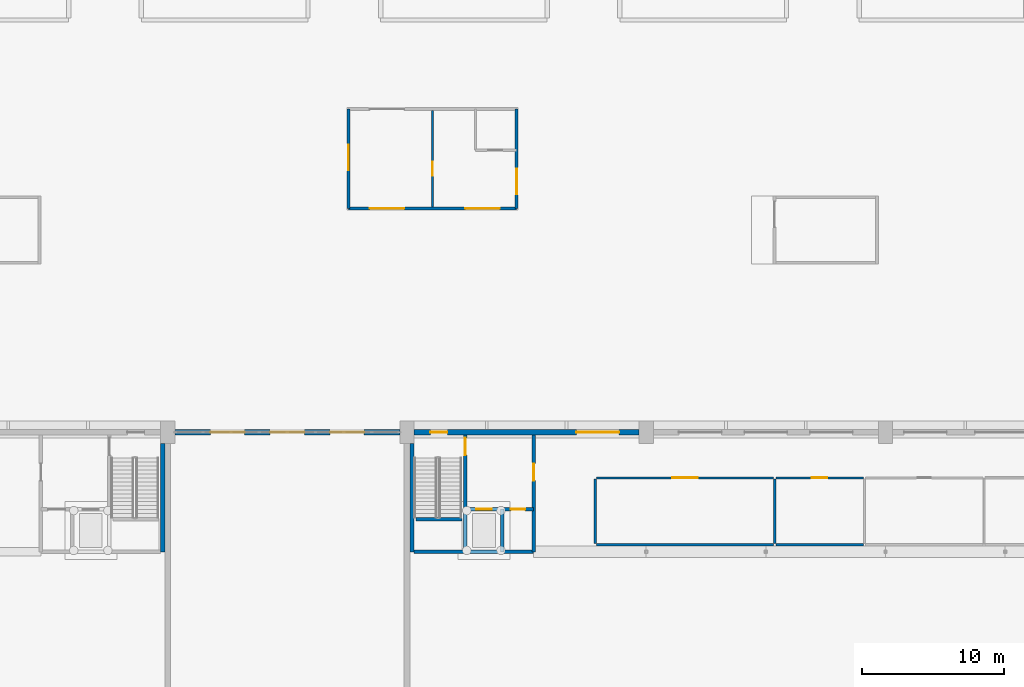
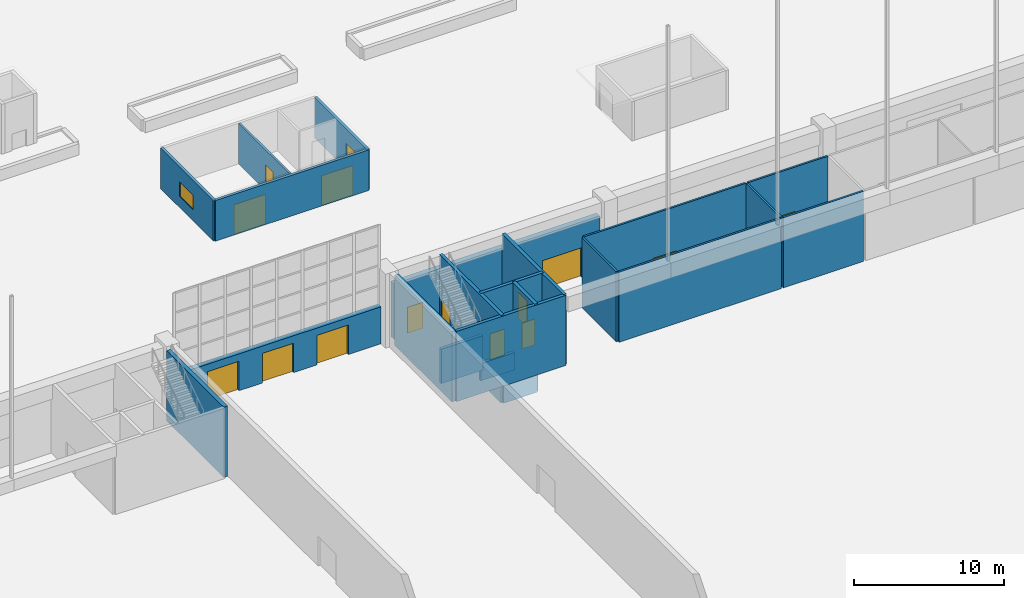
# One storey, part 119 of 210: 24 walls, 14 doors, 2 windows, 16 openings.
"""IFC4 building model written with IfcOpenShell, lengths in metres."""

from ifc_helpers import new_model, si_unit, direction, frame, frame_2d, origin, place, context, subcontext, project, spatial, rectangle, extrude, material, layer, layer_set, type_object, element, fill, save


model = new_model("IFC4")

# Units and contexts
model_context = context("Model", 3, precision=1e-05, world=origin(), true_north=direction((0.0, 1.0)))
body_context = subcontext(model_context, "Body", "Model", "MODEL_VIEW")
ifc_project = project(units=[si_unit("LENGTHUNIT", "METRE"), si_unit("AREAUNIT", "SQUARE_METRE"), si_unit("VOLUMEUNIT", "CUBIC_METRE"), si_unit("PLANEANGLEUNIT", "RADIAN"), si_unit("MASSUNIT", "GRAM", prefix="KILO")], contexts=[model_context])

# Site, building, storey
site_placement = place(None, origin())
site = spatial("IfcSite", under=ifc_project, at=site_placement, CompositionType="ELEMENT")
building_placement = place(site_placement, origin())
building = spatial("IfcBuilding", under=site, at=building_placement, Name="Rain Tree Exposition and Congress Centre", CompositionType="ELEMENT")
storey_placement = place(building_placement, origin())
storey = spatial("IfcBuildingStorey", under=building, at=storey_placement, Name="L00", CompositionType="ELEMENT", Elevation=0.0)

# Wall, openings, doors
ifc_material_1 = material(Name="Concrete C40/50", Category="concrete")
ifc_layer_1 = layer(ifc_material_1, 0.199951171875)
ifc_layer_set_1 = layer_set([ifc_layer_1], Name="Concrete C40/50")
wall_type_1 = type_object("IfcWallType", Name="Control office wall 200", PredefinedType="SOLIDWALL", material=ifc_layer_set_1)
wall_1_placement = place(storey_placement, frame((138.699951171875, 217.300048828125, 0.0), z_axis=(0.0, 0.0, 1.0), x_axis=(1.0, 0.0, 0.0)))
wall_1 = element("IfcWall", 1, at=wall_1_placement, inside=storey, type_object=wall_type_1, Name="Control office south wall", PredefinedType="SOLIDWALL", context=body_context, shape_type="SweptSolid", body=[
    extrude(rectangle(XDim=11.800048828125, YDim=0.199951171875, at=frame_2d((5.89990234375, 0.0))), origin(), (0.0, 0.0, 1.0), 3.300048828125),
])
opening_1_placement = place(wall_1_placement, frame((1.5, 0.0, 0.0)))
opening_1 = element("IfcOpeningElement", 2, at=opening_1_placement, cuts=wall_1, Name="Opening DS811", PredefinedType="OPENING", context=body_context, shape_type="SweptSolid", body=[
    extrude(rectangle(XDim=2.39990234375, YDim=2.39990234375, at=frame_2d((1.199951171875, 1.199951171875))), frame((0.0, 0.10009765625, 0.0), z_axis=(0.0, -1.0, 0.0), x_axis=(1.0, 0.0, 0.0)), (0.0, 0.0, 1.0), 0.199951171875),
])
opening_2_placement = place(wall_1_placement, frame((8.199951171875, 0.0, 0.0)))
opening_2 = element("IfcOpeningElement", 3, at=opening_2_placement, cuts=wall_1, Name="Opening DS812", PredefinedType="OPENING", context=body_context, shape_type="SweptSolid", body=[
    extrude(rectangle(XDim=2.39990234375, YDim=2.39990234375, at=frame_2d((1.199951171875, 1.199951171875))), frame((0.0, 0.10009765625, 0.0), z_axis=(0.0, -1.0, 0.0), x_axis=(1.0, 0.0, 0.0)), (0.0, 0.0, 1.0), 0.199951171875),
])
ifc_material_2 = material(Name="Aluminium and glass", Category="aluminium")
door_type_1 = type_object("IfcDoorType", Name="Control office entrance door 2400x2400", OperationType="DOUBLE_DOOR_SINGLE_SWING", PredefinedType="DOOR", material=ifc_material_2)
door_1_placement = place(opening_1_placement, origin())
door_1 = element("IfcDoor", 4, at=door_1_placement, inside=storey, type_object=door_type_1, Name="DS811", OperationType="DOUBLE_DOOR_SINGLE_SWING", OverallHeight=2.39990234375, OverallWidth=2.39990234375, PredefinedType="DOOR", context=body_context, shape_type="SweptSolid", body=[
    extrude(rectangle(XDim=2.39990234375, YDim=2.39990234375, at=frame_2d((1.199951171875, 1.199951171875))), frame((0.0, 0.02490234375, 0.0), z_axis=(0.0, -1.0, 0.0), x_axis=(1.0, 0.0, 0.0)), (0.0, 0.0, 1.0), 0.050048828125),
])
fill(opening_1, door_1)
door_2_placement = place(opening_2_placement, origin())
door_2 = element("IfcDoor", 5, at=door_2_placement, inside=storey, type_object=door_type_1, Name="DS812", OperationType="DOUBLE_DOOR_SINGLE_SWING", OverallHeight=2.39990234375, OverallWidth=2.39990234375, PredefinedType="DOOR", context=body_context, shape_type="SweptSolid", body=[
    extrude(rectangle(XDim=2.39990234375, YDim=2.39990234375, at=frame_2d((1.199951171875, 1.199951171875))), frame((0.0, 0.02490234375, 0.0), z_axis=(0.0, -1.0, 0.0), x_axis=(1.0, 0.0, 0.0)), (0.0, 0.0, 1.0), 0.050048828125),
])
fill(opening_2, door_2)

# Wall, opening, window
wall_2_placement = place(storey_placement, frame((150.5, 217.300048828125, 0.0), z_axis=(0.0, 0.0, 1.0), x_axis=(0.0, 1.0, 0.0)))
wall_2 = element("IfcWall", 6, at=wall_2_placement, inside=storey, type_object=wall_type_1, Name="Control office east wall", PredefinedType="SOLIDWALL", context=body_context, shape_type="SweptSolid", body=[
    extrude(rectangle(XDim=7.0, YDim=0.199951171875, at=frame_2d((3.5, 0.0))), origin(), (0.0, 0.0, 1.0), 3.300048828125),
])
opening_3_placement = place(wall_2_placement, frame((1.0, 0.0, 0.89990234375)))
opening_3 = element("IfcOpeningElement", 7, at=opening_3_placement, cuts=wall_2, Name="Opening WS82", PredefinedType="OPENING", context=body_context, shape_type="SweptSolid", body=[
    extrude(rectangle(XDim=1.800048828125, YDim=1.199951171875, at=frame_2d((0.89990234375, 0.60009765625))), frame((0.0, 0.10009765625, 0.0), z_axis=(0.0, -1.0, 0.0), x_axis=(1.0, 0.0, 0.0)), (0.0, 0.0, 1.0), 0.199951171875),
])
ifc_material_3 = material(Name="Aluminium frame with double glazing", Category="aluminium")
window_type = type_object("IfcWindowType", Name="Control office window 1800x1200", PartitioningType="SINGLE_PANEL", PredefinedType="WINDOW", material=ifc_material_3)
window_1_placement = place(opening_3_placement, origin())
window_1 = element("IfcWindow", 8, at=window_1_placement, inside=storey, type_object=window_type, Name="WS82", OverallHeight=1.199951171875, OverallWidth=1.800048828125, PartitioningType="SINGLE_PANEL", PredefinedType="WINDOW", context=body_context, shape_type="SweptSolid", body=[
    extrude(rectangle(XDim=1.800048828125, YDim=1.199951171875, at=frame_2d((0.89990234375, 0.60009765625))), frame((0.0, 0.030029296875, 0.0), z_axis=(0.0, -1.0, 0.0), x_axis=(1.0, 0.0, 0.0)), (0.0, 0.0, 1.0), 0.06005859375),
])
fill(opening_3, window_1)

wall_3_placement = place(storey_placement, frame((138.699951171875, 217.300048828125, 0.0), z_axis=(0.0, 0.0, 1.0), x_axis=(0.0, 1.0, 0.0)))
wall_3 = element("IfcWall", 9, at=wall_3_placement, inside=storey, type_object=wall_type_1, Name="Control office west wall", PredefinedType="SOLIDWALL", context=body_context, shape_type="SweptSolid", body=[
    extrude(rectangle(XDim=7.0, YDim=0.199951171875, at=frame_2d((3.5, 0.0))), origin(), (0.0, 0.0, 1.0), 3.300048828125),
])
opening_4_placement = place(wall_3_placement, frame((2.699951171875, 0.0, 0.89990234375)))
opening_4 = element("IfcOpeningElement", 10, at=opening_4_placement, cuts=wall_3, Name="Opening WS83", PredefinedType="OPENING", context=body_context, shape_type="SweptSolid", body=[
    extrude(rectangle(XDim=1.800048828125, YDim=1.199951171875, at=frame_2d((0.89990234375, 0.60009765625))), frame((0.0, 0.10009765625, 0.0), z_axis=(0.0, -1.0, 0.0), x_axis=(1.0, 0.0, 0.0)), (0.0, 0.0, 1.0), 0.199951171875),
])
window_2_placement = place(opening_4_placement, origin())
window_2 = element("IfcWindow", 11, at=window_2_placement, inside=storey, type_object=window_type, Name="WS83", OverallHeight=1.199951171875, OverallWidth=1.800048828125, PartitioningType="SINGLE_PANEL", PredefinedType="WINDOW", context=body_context, shape_type="SweptSolid", body=[
    extrude(rectangle(XDim=1.800048828125, YDim=1.199951171875, at=frame_2d((0.89990234375, 0.60009765625))), frame((0.0, 0.030029296875, 0.0), z_axis=(0.0, -1.0, 0.0), x_axis=(1.0, 0.0, 0.0)), (0.0, 0.0, 1.0), 0.06005859375),
])
fill(opening_4, window_2)

# Walls
ifc_material_4 = material(Name="Concrete C40/50", Category="concrete")
ifc_layer_2 = layer(ifc_material_4, 0.300048828125)
ifc_layer_set_2 = layer_set([ifc_layer_2], Name="Concrete C40/50")
wall_type_2 = type_object("IfcWallType", Name="Core gable pier wall 300", PredefinedType="SHEAR", material=ifc_layer_set_2)
for number, where, z_axis, x_axis, name in (
    (12, (125.64990234375, 200.800048828125, 0.0), (0.0, 0.0, 1.0), (0.0, -1.0, 0.0), "Gable pier wall 4"),
    (13, (143.14990234375, 200.800048828125, 0.0), (0.0, 0.0, 1.0), (0.0, -1.0, 0.0), "Gable pier wall 7"),
):
    element("IfcWall", number, at=place(storey_placement, frame(where, z_axis=z_axis, x_axis=x_axis)), inside=storey, type_object=wall_type_2, Name=name, PredefinedType="SHEAR", context=body_context, shape_type="SweptSolid", body=[
        extrude(rectangle(XDim=7.60009765625, YDim=0.300048828125, at=frame_2d((3.800048828125, 0.0))), origin(), (0.0, 0.0, 1.0), 5.699951171875),
    ])

# Wall, opening, door
ifc_material_5 = material(Name="Concrete C40/50", Category="concrete")
ifc_layer_3 = layer(ifc_material_5, 0.25)
ifc_layer_set_3 = layer_set([ifc_layer_3], Name="Concrete C40/50")
wall_type_3 = type_object("IfcWallType", Name="Core wall 250", PredefinedType="SHEAR", material=ifc_layer_set_3)
wall_4_placement = place(storey_placement, frame((146.89990234375, 201.39990234375, 0.0), z_axis=(0.0, 0.0, 1.0), x_axis=(0.0, -1.0, 0.0)))
wall_4 = element("IfcWall", 14, at=wall_4_placement, inside=storey, type_object=wall_type_3, Name="Stair wall 7", PredefinedType="SHEAR", context=body_context, shape_type="SweptSolid", body=[
    extrude(rectangle(XDim=8.199951171875, YDim=0.25, at=frame_2d((4.10009765625, 0.0))), origin(), (0.0, 0.0, 1.0), 5.699951171875),
])
opening_5_placement = place(wall_4_placement, frame((0.199951171875, 0.0, 0.0)))
opening_5 = element("IfcOpeningElement", 15, at=opening_5_placement, cuts=wall_4, Name="Opening DH229", PredefinedType="OPENING", context=body_context, shape_type="SweptSolid", body=[
    extrude(rectangle(XDim=1.199951171875, YDim=2.10009765625, at=frame_2d((0.60009765625, 1.050048828125))), frame((0.0, 0.125, 0.0), z_axis=(0.0, -1.0, 0.0), x_axis=(1.0, 0.0, 0.0)), (0.0, 0.0, 1.0), 0.25),
])
ifc_material_6 = material(Name="Painted steel fire door", Category="steel")
door_type_2 = type_object("IfcDoorType", Name="Stair fire door 1200x2100", OperationType="NOTDEFINED", PredefinedType="DOOR", material=ifc_material_6)
door_3_placement = place(opening_5_placement, origin())
door_3 = element("IfcDoor", 16, at=door_3_placement, inside=storey, type_object=door_type_2, Name="Door DH229", OperationType="SINGLE_SWING_LEFT", OverallHeight=2.10009765625, OverallWidth=1.199951171875, PredefinedType="DOOR", context=body_context, shape_type="SweptSolid", body=[
    extrude(rectangle(XDim=1.199951171875, YDim=2.10009765625, at=frame_2d((0.60009765625, 1.050048828125))), frame((0.0, 0.02490234375, 0.0), z_axis=(0.0, -1.0, 0.0), x_axis=(1.0, 0.0, 0.0)), (0.0, 0.0, 1.0), 0.050048828125),
])
fill(opening_5, door_3)

# Wall
wall_5_placement = place(storey_placement, frame((143.300048828125, 193.199951171875, 0.0), z_axis=(0.0, 0.0, 1.0), x_axis=(1.0, 0.0, 0.0)))
element("IfcWall", 17, at=wall_5_placement, inside=storey, type_object=wall_type_3, Name="Core north wall 7", PredefinedType="SHEAR", context=body_context, shape_type="SweptSolid", body=[
    extrude(rectangle(XDim=8.39990234375, YDim=0.25, at=frame_2d((4.199951171875, 0.0))), origin(), (0.0, 0.0, 1.0), 5.699951171875),
])

# Wall, opening, door
wall_6_placement = place(storey_placement, frame((151.699951171875, 201.39990234375, 0.0), z_axis=(0.0, 0.0, 1.0), x_axis=(0.0, -1.0, 0.0)))
wall_6 = element("IfcWall", 18, at=wall_6_placement, inside=storey, type_object=wall_type_3, Name="Core east wall 7", PredefinedType="SHEAR", context=body_context, shape_type="SweptSolid", body=[
    extrude(rectangle(XDim=8.199951171875, YDim=0.25, at=frame_2d((4.10009765625, 0.0))), origin(), (0.0, 0.0, 1.0), 5.699951171875),
])
opening_6_placement = place(wall_6_placement, frame((2.0, 0.0, 0.0)))
opening_6 = element("IfcOpeningElement", 19, at=opening_6_placement, cuts=wall_6, Name="Opening DH230", PredefinedType="OPENING", context=body_context, shape_type="SweptSolid", body=[
    extrude(rectangle(XDim=1.199951171875, YDim=2.10009765625, at=frame_2d((0.60009765625, 1.050048828125))), frame((0.0, 0.125, 0.0), z_axis=(0.0, -1.0, 0.0), x_axis=(1.0, 0.0, 0.0)), (0.0, 0.0, 1.0), 0.25),
])
ifc_material_7 = material(Name="Painted steel fire door", Category="steel")
door_type_3 = type_object("IfcDoorType", Name="Lobby fire door 1200x2100", OperationType="NOTDEFINED", PredefinedType="DOOR", material=ifc_material_7)
door_4_placement = place(opening_6_placement, origin())
door_4 = element("IfcDoor", 20, at=door_4_placement, inside=storey, type_object=door_type_3, Name="Door DH230", OperationType="SINGLE_SWING_LEFT", OverallHeight=2.10009765625, OverallWidth=1.199951171875, PredefinedType="DOOR", context=body_context, shape_type="SweptSolid", body=[
    extrude(rectangle(XDim=1.199951171875, YDim=2.10009765625, at=frame_2d((0.60009765625, 1.050048828125))), frame((0.0, 0.02490234375, 0.0), z_axis=(0.0, -1.0, 0.0), x_axis=(1.0, 0.0, 0.0)), (0.0, 0.0, 1.0), 0.050048828125),
])
fill(opening_6, door_4)

# Wall, openings, doors
wall_7_placement = place(storey_placement, frame((146.89990234375, 196.199951171875, 0.0), z_axis=(0.0, 0.0, 1.0), x_axis=(1.0, 0.0, 0.0)))
wall_7 = element("IfcWall", 21, at=wall_7_placement, inside=storey, type_object=wall_type_3, Name="Lift lobby wall 7", PredefinedType="SHEAR", context=body_context, shape_type="SweptSolid", body=[
    extrude(rectangle(XDim=4.800048828125, YDim=0.25, at=frame_2d((2.39990234375, 0.0))), origin(), (0.0, 0.0, 1.0), 5.699951171875),
])
opening_7_placement = place(wall_7_placement, frame((0.75, 0.0, 0.0)))
opening_7 = element("IfcOpeningElement", 22, at=opening_7_placement, cuts=wall_7, Name="Opening DH231", PredefinedType="OPENING", context=body_context, shape_type="SweptSolid", body=[
    extrude(rectangle(XDim=1.10009765625, YDim=2.10009765625, at=frame_2d((0.550048828125, 1.050048828125))), frame((0.0, 0.125, 0.0), z_axis=(0.0, -1.0, 0.0), x_axis=(1.0, 0.0, 0.0)), (0.0, 0.0, 1.0), 0.25),
])
opening_8_placement = place(wall_7_placement, frame((3.199951171875, 0.0, 0.0)))
opening_8 = element("IfcOpeningElement", 23, at=opening_8_placement, cuts=wall_7, Name="Opening DH232", PredefinedType="OPENING", context=body_context, shape_type="SweptSolid", body=[
    extrude(rectangle(XDim=1.0, YDim=2.10009765625, at=frame_2d((0.5, 1.050048828125))), frame((0.0, 0.125, 0.0), z_axis=(0.0, -1.0, 0.0), x_axis=(1.0, 0.0, 0.0)), (0.0, 0.0, 1.0), 0.25),
])
ifc_material_8 = material(Name="Stainless steel", Category="steel")
door_type_4 = type_object("IfcDoorType", Name="Lift landing door 1100x2100", OperationType="DOUBLE_DOOR_SLIDING", PredefinedType="DOOR", material=ifc_material_8)
door_5_placement = place(opening_7_placement, origin())
door_5 = element("IfcDoor", 24, at=door_5_placement, inside=storey, type_object=door_type_4, Name="Door DH231", OperationType="DOUBLE_DOOR_SLIDING", OverallHeight=2.10009765625, OverallWidth=1.10009765625, PredefinedType="DOOR", context=body_context, shape_type="SweptSolid", body=[
    extrude(rectangle(XDim=1.10009765625, YDim=2.10009765625, at=frame_2d((0.550048828125, 1.050048828125))), frame((0.0, 0.02490234375, 0.0), z_axis=(0.0, -1.0, 0.0), x_axis=(1.0, 0.0, 0.0)), (0.0, 0.0, 1.0), 0.050048828125),
])
fill(opening_7, door_5)
ifc_material_9 = material(Name="Painted steel door", Category="steel")
door_type_5 = type_object("IfcDoorType", Name="Single leaf door 1000x2100", OperationType="NOTDEFINED", PredefinedType="DOOR", material=ifc_material_9)
door_6_placement = place(opening_8_placement, origin())
door_6 = element("IfcDoor", 25, at=door_6_placement, inside=storey, type_object=door_type_5, Name="Door DH232", OperationType="SINGLE_SWING_RIGHT", OverallHeight=2.10009765625, OverallWidth=1.0, PredefinedType="DOOR", context=body_context, shape_type="SweptSolid", body=[
    extrude(rectangle(XDim=1.0, YDim=2.10009765625, at=frame_2d((0.5, 1.050048828125))), frame((0.0, 0.02490234375, 0.0), z_axis=(0.0, -1.0, 0.0), x_axis=(1.0, 0.0, 0.0)), (0.0, 0.0, 1.0), 0.050048828125),
])
fill(opening_8, door_6)

# Walls
wall_8_placement = place(storey_placement, frame((149.5, 196.199951171875, 0.0), z_axis=(0.0, 0.0, 1.0), x_axis=(0.0, -1.0, 0.0)))
element("IfcWall", 26, at=wall_8_placement, inside=storey, type_object=wall_type_3, Name="Lift shaft wall 7", PredefinedType="SHEAR", context=body_context, shape_type="SweptSolid", body=[
    extrude(rectangle(XDim=3.0, YDim=0.25, at=frame_2d((1.5, 0.0))), origin(), (0.0, 0.0, 1.0), 5.699951171875),
])
wall_9_placement = place(storey_placement, frame((143.449951171875, 195.5, 0.0), z_axis=(0.0, 0.0, 1.0), x_axis=(1.0, 0.0, 0.0)))
element("IfcWall", 27, at=wall_9_placement, inside=storey, type_object=wall_type_3, Name="Stair landing wall 7", PredefinedType="SHEAR", context=body_context, shape_type="SweptSolid", body=[
    extrude(rectangle(XDim=3.199951171875, YDim=0.25, at=frame_2d((1.60009765625, 0.0))), origin(), (0.0, 0.0, 1.0), 2.800048828125),
])

# Wall, openings, doors
ifc_material_10 = material(Name="Precast concrete C50/60", Category="concrete")
ifc_layer_4 = layer(ifc_material_10, 0.39990234375)
ifc_layer_set_4 = layer_set([ifc_layer_4], Name="Precast concrete C50/60")
wall_type_4 = type_object("IfcWallType", Name="Hall precast wall 400", PredefinedType="STANDARD", material=ifc_layer_set_4)
wall_10_placement = place(storey_placement, frame((143.300048828125, 201.60009765625, 0.0), z_axis=(0.0, 0.0, 1.0), x_axis=(1.0, 0.0, 0.0)))
wall_10 = element("IfcWall", 28, at=wall_10_placement, inside=storey, type_object=wall_type_4, Name="Cladding wall N1", PredefinedType="STANDARD", context=body_context, shape_type="SweptSolid", body=[
    extrude(rectangle(XDim=15.800048828125, YDim=0.39990234375, at=frame_2d((7.89990234375, 0.0))), origin(), (0.0, 0.0, 1.0), 4.5),
])
opening_9_placement = place(wall_10_placement, frame((1.137451171875, 0.0, 0.0)))
opening_9 = element("IfcOpeningElement", 29, at=opening_9_placement, cuts=wall_10, Name="Opening DH146", PredefinedType="OPENING", context=body_context, shape_type="SweptSolid", body=[
    extrude(rectangle(XDim=1.199951171875, YDim=2.10009765625, at=frame_2d((0.60009765625, 1.050048828125))), frame((0.0, 0.199951171875, 0.0), z_axis=(0.0, -1.0, 0.0), x_axis=(1.0, 0.0, 0.0)), (0.0, 0.0, 1.0), 0.39990234375),
])
opening_10_placement = place(wall_10_placement, frame((11.39990234375, 0.0, 0.0)))
opening_10 = element("IfcOpeningElement", 30, at=opening_10_placement, cuts=wall_10, Name="Opening DH147", PredefinedType="OPENING", context=body_context, shape_type="SweptSolid", body=[
    extrude(rectangle(XDim=3.0, YDim=2.39990234375, at=frame_2d((1.5, 1.199951171875))), frame((0.0, 0.199951171875, 0.0), z_axis=(0.0, -1.0, 0.0), x_axis=(1.0, 0.0, 0.0)), (0.0, 0.0, 1.0), 0.39990234375),
])
ifc_material_11 = material(Name="Aluminium and glass", Category="aluminium")
door_type_6 = type_object("IfcDoorType", Name="Double glazed entrance door 3000x2400", OperationType="DOUBLE_DOOR_SINGLE_SWING", PredefinedType="DOOR", material=ifc_material_11)
door_7_placement = place(opening_10_placement, origin())
door_7 = element("IfcDoor", 31, at=door_7_placement, inside=storey, type_object=door_type_6, Name="Door DH147", OperationType="DOUBLE_DOOR_SINGLE_SWING", OverallHeight=2.39990234375, OverallWidth=3.0, PredefinedType="DOOR", context=body_context, shape_type="SweptSolid", body=[
    extrude(rectangle(XDim=3.0, YDim=2.39990234375, at=frame_2d((1.5, 1.199951171875))), frame((0.0, 0.02490234375, 0.0), z_axis=(0.0, -1.0, 0.0), x_axis=(1.0, 0.0, 0.0)), (0.0, 0.0, 1.0), 0.050048828125),
])
fill(opening_10, door_7)
door_8_placement = place(opening_9_placement, origin())
door_8 = element("IfcDoor", 32, at=door_8_placement, inside=storey, type_object=door_type_2, Name="Door DH146", OperationType="SINGLE_SWING_LEFT", OverallHeight=2.10009765625, OverallWidth=1.199951171875, PredefinedType="DOOR", context=body_context, shape_type="SweptSolid", body=[
    extrude(rectangle(XDim=1.199951171875, YDim=2.10009765625, at=frame_2d((0.60009765625, 1.050048828125))), frame((0.0, 0.02490234375, 0.0), z_axis=(0.0, -1.0, 0.0), x_axis=(1.0, 0.0, 0.0)), (0.0, 0.0, 1.0), 0.050048828125),
])
fill(opening_9, door_8)

# Walls
ifc_material_12 = material(Name="Concrete C40/50", Category="concrete")
ifc_layer_5 = layer(ifc_material_12, 0.25)
ifc_layer_set_5 = layer_set([ifc_layer_5], Name="Concrete C40/50")
wall_type_5 = type_object("IfcWallType", Name="Lift pit wall 250", PredefinedType="SHEAR", material=ifc_layer_set_5)
for number, where, z_axis, x_axis, name in (
    (33, (146.89990234375, 196.199951171875, -1.39990234375), (0.0, 0.0, 1.0), (0.0, -1.0, 0.0), "Lift pit wall 7.1"),
    (34, (149.5, 196.199951171875, -1.39990234375), (0.0, 0.0, 1.0), (0.0, -1.0, 0.0), "Lift pit wall 7.2"),
):
    element("IfcWall", number, at=place(storey_placement, frame(where, z_axis=z_axis, x_axis=x_axis)), inside=storey, type_object=wall_type_5, Name=name, PredefinedType="SHEAR", context=body_context, shape_type="SweptSolid", body=[
        extrude(rectangle(XDim=3.0, YDim=0.25, at=frame_2d((1.5, 0.0))), origin(), (0.0, 0.0, 1.0), 1.39990234375),
    ])
for number, where, z_axis, x_axis, name in (
    (35, (146.89990234375, 196.199951171875, -1.39990234375), (0.0, 0.0, 1.0), (1.0, 0.0, 0.0), "Lift pit wall 7.3"),
    (36, (146.89990234375, 193.199951171875, -1.39990234375), (0.0, 0.0, 1.0), (1.0, 0.0, 0.0), "Lift pit wall 7.4"),
):
    element("IfcWall", number, at=place(storey_placement, frame(where, z_axis=z_axis, x_axis=x_axis)), inside=storey, type_object=wall_type_5, Name=name, PredefinedType="SHEAR", context=body_context, shape_type="SweptSolid", body=[
        extrude(rectangle(XDim=2.60009765625, YDim=0.25, at=frame_2d((1.300048828125, 0.0))), origin(), (0.0, 0.0, 1.0), 1.39990234375),
    ])

# Wall, openings, doors
ifc_material_13 = material(Name="Precast concrete C50/60", Category="concrete")
ifc_layer_6 = layer(ifc_material_13, 0.39990234375)
ifc_layer_set_6 = layer_set([ifc_layer_6], Name="Precast concrete C50/60")
wall_type_6 = type_object("IfcWallType", Name="Link end wall 400", PredefinedType="SHEAR", material=ifc_layer_set_6)
wall_11_placement = place(storey_placement, frame((126.5, 201.60009765625, 0.0), z_axis=(0.0, 0.0, 1.0), x_axis=(1.0, 0.0, 0.0)))
wall_11 = element("IfcWall", 37, at=wall_11_placement, inside=storey, type_object=wall_type_6, Name="Link north wall", PredefinedType="SHEAR", context=body_context, shape_type="SweptSolid", body=[
    extrude(rectangle(XDim=15.800048828125, YDim=0.39990234375, at=frame_2d((7.89990234375, 0.0))), origin(), (0.0, 0.0, 1.0), 3.0),
])
opening_11_placement = place(wall_11_placement, frame((2.5, 0.0, 0.0)))
opening_11 = element("IfcOpeningElement", 38, at=opening_11_placement, cuts=wall_11, Name="Opening DH178", PredefinedType="OPENING", context=body_context, shape_type="SweptSolid", body=[
    extrude(rectangle(XDim=2.39990234375, YDim=2.39990234375, at=frame_2d((1.199951171875, 1.199951171875))), frame((0.0, 0.199951171875, 0.0), z_axis=(0.0, -1.0, 0.0), x_axis=(1.0, 0.0, 0.0)), (0.0, 0.0, 1.0), 0.39990234375),
])
opening_12_placement = place(wall_11_placement, frame((6.699951171875, 0.0, 0.0)))
opening_12 = element("IfcOpeningElement", 39, at=opening_12_placement, cuts=wall_11, Name="Opening DH179", PredefinedType="OPENING", context=body_context, shape_type="SweptSolid", body=[
    extrude(rectangle(XDim=2.39990234375, YDim=2.39990234375, at=frame_2d((1.199951171875, 1.199951171875))), frame((0.0, 0.199951171875, 0.0), z_axis=(0.0, -1.0, 0.0), x_axis=(1.0, 0.0, 0.0)), (0.0, 0.0, 1.0), 0.39990234375),
])
opening_13_placement = place(wall_11_placement, frame((10.89990234375, 0.0, 0.0)))
opening_13 = element("IfcOpeningElement", 40, at=opening_13_placement, cuts=wall_11, Name="Opening DH180", PredefinedType="OPENING", context=body_context, shape_type="SweptSolid", body=[
    extrude(rectangle(XDim=2.39990234375, YDim=2.39990234375, at=frame_2d((1.199951171875, 1.199951171875))), frame((0.0, 0.199951171875, 0.0), z_axis=(0.0, -1.0, 0.0), x_axis=(1.0, 0.0, 0.0)), (0.0, 0.0, 1.0), 0.39990234375),
])
ifc_material_14 = material(Name="Aluminium and glass", Category="aluminium")
door_type_7 = type_object("IfcDoorType", Name="Double glazed entrance door 2400x2400", OperationType="DOUBLE_DOOR_SINGLE_SWING", PredefinedType="DOOR", material=ifc_material_14)
door_9_placement = place(opening_11_placement, origin())
door_9 = element("IfcDoor", 41, at=door_9_placement, inside=storey, type_object=door_type_7, Name="Door DH178", OperationType="DOUBLE_DOOR_SINGLE_SWING", OverallHeight=2.39990234375, OverallWidth=2.39990234375, PredefinedType="DOOR", context=body_context, shape_type="SweptSolid", body=[
    extrude(rectangle(XDim=2.39990234375, YDim=2.39990234375, at=frame_2d((1.199951171875, 1.199951171875))), frame((0.0, 0.02490234375, 0.0), z_axis=(0.0, -1.0, 0.0), x_axis=(1.0, 0.0, 0.0)), (0.0, 0.0, 1.0), 0.050048828125),
])
fill(opening_11, door_9)
door_10_placement = place(opening_12_placement, origin())
door_10 = element("IfcDoor", 42, at=door_10_placement, inside=storey, type_object=door_type_7, Name="Door DH179", OperationType="DOUBLE_DOOR_SINGLE_SWING", OverallHeight=2.39990234375, OverallWidth=2.39990234375, PredefinedType="DOOR", context=body_context, shape_type="SweptSolid", body=[
    extrude(rectangle(XDim=2.39990234375, YDim=2.39990234375, at=frame_2d((1.199951171875, 1.199951171875))), frame((0.0, 0.02490234375, 0.0), z_axis=(0.0, -1.0, 0.0), x_axis=(1.0, 0.0, 0.0)), (0.0, 0.0, 1.0), 0.050048828125),
])
fill(opening_12, door_10)
door_11_placement = place(opening_13_placement, origin())
door_11 = element("IfcDoor", 43, at=door_11_placement, inside=storey, type_object=door_type_7, Name="Door DH180", OperationType="DOUBLE_DOOR_SINGLE_SWING", OverallHeight=2.39990234375, OverallWidth=2.39990234375, PredefinedType="DOOR", context=body_context, shape_type="SweptSolid", body=[
    extrude(rectangle(XDim=2.39990234375, YDim=2.39990234375, at=frame_2d((1.199951171875, 1.199951171875))), frame((0.0, 0.02490234375, 0.0), z_axis=(0.0, -1.0, 0.0), x_axis=(1.0, 0.0, 0.0)), (0.0, 0.0, 1.0), 0.050048828125),
])
fill(opening_13, door_11)

# Wall, opening, door
ifc_material_15 = material(Name="Concrete block C12", Category="concrete")
ifc_layer_7 = layer(ifc_material_15, 0.14990234375)
ifc_layer_set_7 = layer_set([ifc_layer_7], Name="Concrete block C12")
wall_type_7 = type_object("IfcWallType", Name="Office partition 150 logistics", PredefinedType="PARTITIONING", material=ifc_layer_set_7)
wall_12_placement = place(storey_placement, frame((144.60009765625, 217.39990234375, 0.0), z_axis=(0.0, 0.0, 1.0), x_axis=(0.0, 1.0, 0.0)))
wall_12 = element("IfcWall", 44, at=wall_12_placement, inside=storey, type_object=wall_type_7, Name="Control office partition", PredefinedType="PARTITIONING", context=body_context, shape_type="SweptSolid", body=[
    extrude(rectangle(XDim=6.800048828125, YDim=0.14990234375, at=frame_2d((3.39990234375, 0.0))), origin(), (0.0, 0.0, 1.0), 3.300048828125),
])
opening_14_placement = place(wall_12_placement, frame((2.199951171875, 0.0, 0.0)))
opening_14 = element("IfcOpeningElement", 45, at=opening_14_placement, cuts=wall_12, Name="Opening DS814", PredefinedType="OPENING", context=body_context, shape_type="SweptSolid", body=[
    extrude(rectangle(XDim=1.0, YDim=2.10009765625, at=frame_2d((0.5, 1.050048828125))), frame((0.0, 0.074951171875, 0.0), z_axis=(0.0, -1.0, 0.0), x_axis=(1.0, 0.0, 0.0)), (0.0, 0.0, 1.0), 0.14990234375),
])
ifc_material_16 = material(Name="Timber with steel frame", Category="steel")
door_type_8 = type_object("IfcDoorType", Name="Control office single door 1000x2100", OperationType="NOTDEFINED", PredefinedType="DOOR", material=ifc_material_16)
door_12_placement = place(opening_14_placement, origin())
door_12 = element("IfcDoor", 46, at=door_12_placement, inside=storey, type_object=door_type_8, Name="DS814", OperationType="SINGLE_SWING_LEFT", OverallHeight=2.10009765625, OverallWidth=1.0, PredefinedType="DOOR", context=body_context, shape_type="SweptSolid", body=[
    extrude(rectangle(XDim=1.0, YDim=2.10009765625, at=frame_2d((0.5, 1.050048828125))), frame((0.0, 0.02490234375, 0.0), z_axis=(0.0, -1.0, 0.0), x_axis=(1.0, 0.0, 0.0)), (0.0, 0.0, 1.0), 0.050048828125),
])
fill(opening_14, door_12)

# Wall
ifc_material_17 = material(Name="Concrete C25/30", Category="concrete")
ifc_layer_8 = layer(ifc_material_17, 0.14990234375)
ifc_layer_set_8 = layer_set([ifc_layer_8], Name="Concrete C25/30")
wall_type_8 = type_object("IfcWallType", Name="Visitor room partition 150", PredefinedType="PARTITIONING", material=ifc_layer_set_8)
wall_13_placement = place(storey_placement, frame((156.10009765625, 193.699951171875, 0.0), z_axis=(0.0, 0.0, 1.0), x_axis=(1.0, 0.0, 0.0)))
element("IfcWall", 47, at=wall_13_placement, inside=storey, type_object=wall_type_8, Name="Cloakroom wall S", PredefinedType="PARTITIONING", context=body_context, shape_type="SweptSolid", body=[
    extrude(rectangle(XDim=12.449951171875, YDim=0.14990234375, at=frame_2d((6.22509765625, 0.0))), origin(), (0.0, 0.0, 1.0), 5.699951171875),
])

# Wall, opening, door
wall_14_placement = place(storey_placement, frame((156.10009765625, 198.39990234375, 0.0), z_axis=(0.0, 0.0, 1.0), x_axis=(1.0, 0.0, 0.0)))
wall_14 = element("IfcWall", 48, at=wall_14_placement, inside=storey, type_object=wall_type_8, Name="Cloakroom wall N", PredefinedType="PARTITIONING", context=body_context, shape_type="SweptSolid", body=[
    extrude(rectangle(XDim=12.449951171875, YDim=0.14990234375, at=frame_2d((6.22509765625, 0.0))), origin(), (0.0, 0.0, 1.0), 5.699951171875),
])
opening_15_placement = place(wall_14_placement, frame((5.324951171875, 0.0, 0.0)))
opening_15 = element("IfcOpeningElement", 49, at=opening_15_placement, cuts=wall_14, Name="Opening DH250", PredefinedType="OPENING", context=body_context, shape_type="SweptSolid", body=[
    extrude(rectangle(XDim=1.800048828125, YDim=2.10009765625, at=frame_2d((0.89990234375, 1.050048828125))), frame((0.0, 0.074951171875, 0.0), z_axis=(0.0, -1.0, 0.0), x_axis=(1.0, 0.0, 0.0)), (0.0, 0.0, 1.0), 0.14990234375),
])
ifc_material_18 = material(Name="Painted steel door", Category="steel")
door_type_9 = type_object("IfcDoorType", Name="Cloakroom door pair 1800x2100", OperationType="DOUBLE_DOOR_SINGLE_SWING", PredefinedType="DOOR", material=ifc_material_18)
door_13_placement = place(opening_15_placement, origin())
door_13 = element("IfcDoor", 50, at=door_13_placement, inside=storey, type_object=door_type_9, Name="Door DH250", OperationType="DOUBLE_DOOR_SINGLE_SWING", OverallHeight=2.10009765625, OverallWidth=1.800048828125, PredefinedType="DOOR", context=body_context, shape_type="SweptSolid", body=[
    extrude(rectangle(XDim=1.800048828125, YDim=2.10009765625, at=frame_2d((0.89990234375, 1.050048828125))), frame((0.0, 0.02490234375, 0.0), z_axis=(0.0, -1.0, 0.0), x_axis=(1.0, 0.0, 0.0)), (0.0, 0.0, 1.0), 0.050048828125),
])
fill(opening_15, door_13)

# Wall
wall_15_placement = place(storey_placement, frame((168.699951171875, 193.699951171875, 0.0), z_axis=(0.0, 0.0, 1.0), x_axis=(1.0, 0.0, 0.0)))
element("IfcWall", 51, at=wall_15_placement, inside=storey, type_object=wall_type_8, Name="First Aid Room wall S", PredefinedType="PARTITIONING", context=body_context, shape_type="SweptSolid", body=[
    extrude(rectangle(XDim=6.150146484375, YDim=0.14990234375, at=frame_2d((3.0751953125, 0.0))), origin(), (0.0, 0.0, 1.0), 5.699951171875),
])

# Wall, opening, door
wall_16_placement = place(storey_placement, frame((168.699951171875, 198.39990234375, 0.0), z_axis=(0.0, 0.0, 1.0), x_axis=(1.0, 0.0, 0.0)))
wall_16 = element("IfcWall", 52, at=wall_16_placement, inside=storey, type_object=wall_type_8, Name="First Aid Room wall N", PredefinedType="PARTITIONING", context=body_context, shape_type="SweptSolid", body=[
    extrude(rectangle(XDim=6.150146484375, YDim=0.14990234375, at=frame_2d((3.0751953125, 0.0))), origin(), (0.0, 0.0, 1.0), 5.699951171875),
])
opening_16_placement = place(wall_16_placement, frame((2.52490234375, 0.0, 0.0)))
opening_16 = element("IfcOpeningElement", 53, at=opening_16_placement, cuts=wall_16, Name="Opening DH251", PredefinedType="OPENING", context=body_context, shape_type="SweptSolid", body=[
    extrude(rectangle(XDim=1.10009765625, YDim=2.10009765625, at=frame_2d((0.550048828125, 1.050048828125))), frame((0.0, 0.074951171875, 0.0), z_axis=(0.0, -1.0, 0.0), x_axis=(1.0, 0.0, 0.0)), (0.0, 0.0, 1.0), 0.14990234375),
])
ifc_material_19 = material(Name="Painted steel door", Category="steel")
door_type_10 = type_object("IfcDoorType", Name="First aid door 1100x2100", OperationType="NOTDEFINED", PredefinedType="DOOR", material=ifc_material_19)
door_14_placement = place(opening_16_placement, origin())
door_14 = element("IfcDoor", 54, at=door_14_placement, inside=storey, type_object=door_type_10, Name="Door DH251", OperationType="SINGLE_SWING_RIGHT", OverallHeight=2.10009765625, OverallWidth=1.10009765625, PredefinedType="DOOR", context=body_context, shape_type="SweptSolid", body=[
    extrude(rectangle(XDim=1.10009765625, YDim=2.10009765625, at=frame_2d((0.550048828125, 1.050048828125))), frame((0.0, 0.02490234375, 0.0), z_axis=(0.0, -1.0, 0.0), x_axis=(1.0, 0.0, 0.0)), (0.0, 0.0, 1.0), 0.050048828125),
])
fill(opening_16, door_14)

# Walls
for number, where, z_axis, x_axis, name in (
    (55, (156.02490234375, 193.77490234375, 0.0), (0.0, 0.0, 1.0), (0.0, 1.0, 0.0), "Visitor room party wall 1"),
    (56, (168.625, 193.77490234375, 0.0), (0.0, 0.0, 1.0), (0.0, 1.0, 0.0), "Visitor room party wall 2"),
):
    element("IfcWall", number, at=place(storey_placement, frame(where, z_axis=z_axis, x_axis=x_axis)), inside=storey, type_object=wall_type_8, Name=name, PredefinedType="PARTITIONING", context=body_context, shape_type="SweptSolid", body=[
        extrude(rectangle(XDim=4.550048828125, YDim=0.14990234375, at=frame_2d((2.27490234375, 0.0))), origin(), (0.0, 0.0, 1.0), 5.699951171875),
    ])

save(model, "model.ifc")
